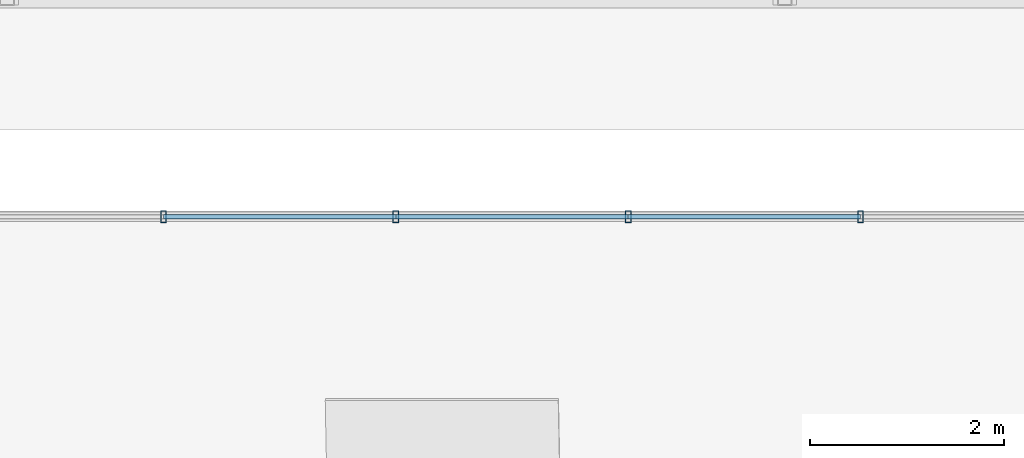
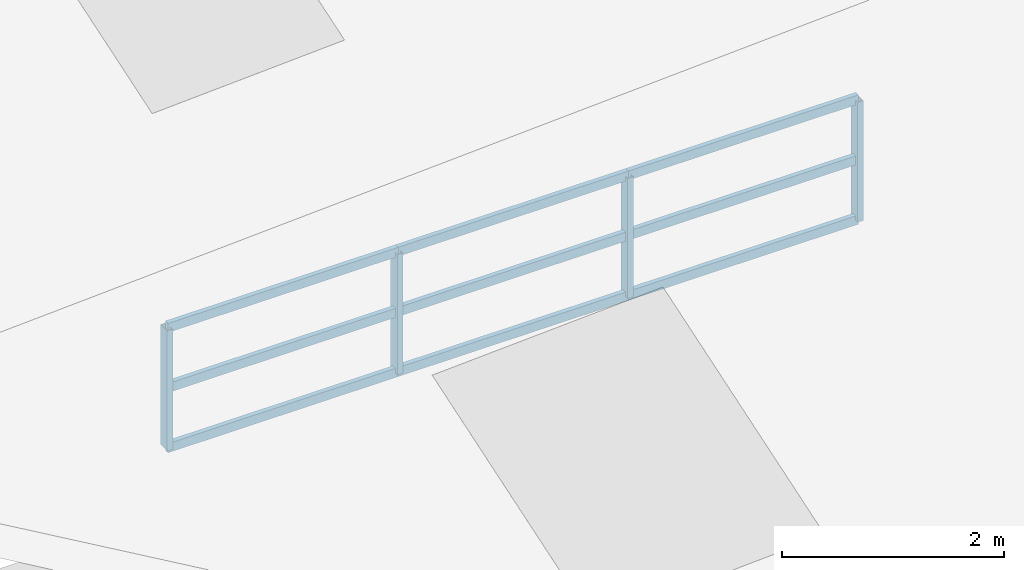
# One storey, part 16 of 141: 13 members, 1 element without a shape of its own.
"""IFC4 building model written with IfcOpenShell, lengths in metres."""

from ifc_helpers import new_model, si_unit, direction, frame, origin, origin_2d, place, context, subcontext, project, spatial, hollow_rectangle, extrude, material, material_profile, profile_set, type_object, element, aggregate, save


model = new_model("IFC4")

# Units and contexts
model_context = context("Model", 3, precision=1e-05, world=origin(), true_north=direction((0.0, 1.0)))
body_context = subcontext(model_context, "Body", "Model", "MODEL_VIEW")
ifc_project = project(units=[si_unit("LENGTHUNIT", "METRE"), si_unit("AREAUNIT", "SQUARE_METRE"), si_unit("VOLUMEUNIT", "CUBIC_METRE"), si_unit("PLANEANGLEUNIT", "RADIAN"), si_unit("MASSUNIT", "GRAM", prefix="KILO")], contexts=[model_context])

# Site, building, storey
site_placement = place(None, origin())
site = spatial("IfcSite", under=ifc_project, at=site_placement, CompositionType="ELEMENT")
building_placement = place(site_placement, origin())
building = spatial("IfcBuilding", under=site, at=building_placement, Name="Sundkrona Museum", CompositionType="ELEMENT")
storey_placement = place(building_placement, frame((0.0, 0.0, 34.0)))
storey = spatial("IfcBuildingStorey", under=building, at=storey_placement, Name="RF", CompositionType="ELEMENT", Elevation=34.0)

# Curtain wall, members
ifc_material_1 = material(Name="Unitised Aluminium-Steel and Ceramic-Clad Curtain Walling", Category="steel")
curtain_wall_type = type_object("IfcCurtainWallType", Name="CW-SW-240x13", PredefinedType="NOTDEFINED", material=ifc_material_1)
curtain_wall_placement = place(storey_placement, origin())
curtain_wall = element("IfcCurtainWall", 1, at=curtain_wall_placement, inside=storey, type_object=curtain_wall_type, Name="Sawtooth Bay 2 West North-Light Clerestory", PredefinedType="NOTDEFINED")
ifc_material_2 = material(Name="Aluminium EN AW-6060 T66", Category="aluminium")
ifc_material_profile_1 = material_profile(ifc_material_2, hollow_rectangle(XDim=0.06005859375, YDim=0.1201171875, WallThickness=0.0048828125, at=origin_2d()), Name="RHS 120x60x5.0")
ifc_profile_set_1 = profile_set([ifc_material_profile_1], Name="Aluminium EN AW-6060 T66")
member_type_1 = type_object("IfcMemberType", Name="ML-120", PredefinedType="MULLION", material=ifc_profile_set_1)
member_1_placement = place(storey_placement, frame((129.610107421875, 10.300048828125, 2.633056640625), z_axis=(0.0, 0.0, 1.0), x_axis=(1.0, 0.0, 0.0)))
member_1 = element("IfcMember", 2, at=member_1_placement, type_object=member_type_1, Name="CW-RF-SAW-02W Mullion 05", PredefinedType="MULLION", context=body_context, shape_type="SweptSolid", body=[
    extrude(hollow_rectangle(XDim=0.06005859375, YDim=0.1201171875, WallThickness=0.0048828125, at=origin_2d()), origin(), (0.0, 0.0, 1.0), 1.31982421875),
])
member_2_placement = place(storey_placement, frame((132.0, 10.300048828125, 2.633056640625), z_axis=(0.0, 0.0, 1.0), x_axis=(1.0, 0.0, 0.0)))
member_2 = element("IfcMember", 3, at=member_2_placement, type_object=member_type_1, Name="CW-RF-SAW-02W Mullion 06", PredefinedType="MULLION", context=body_context, shape_type="SweptSolid", body=[
    extrude(hollow_rectangle(XDim=0.06005859375, YDim=0.1201171875, WallThickness=0.0048828125, at=origin_2d()), origin(), (0.0, 0.0, 1.0), 1.31982421875),
])
member_3_placement = place(storey_placement, frame((134.389892578125, 10.300048828125, 2.633056640625), z_axis=(0.0, 0.0, 1.0), x_axis=(1.0, 0.0, 0.0)))
member_3 = element("IfcMember", 4, at=member_3_placement, type_object=member_type_1, Name="CW-RF-SAW-02W Mullion 07", PredefinedType="MULLION", context=body_context, shape_type="SweptSolid", body=[
    extrude(hollow_rectangle(XDim=0.06005859375, YDim=0.1201171875, WallThickness=0.0048828125, at=origin_2d()), origin(), (0.0, 0.0, 1.0), 1.31982421875),
])
member_4_placement = place(storey_placement, frame((136.780029296875, 10.300048828125, 2.633056640625), z_axis=(0.0, 0.0, 1.0), x_axis=(1.0, 0.0, 0.0)))
member_4 = element("IfcMember", 5, at=member_4_placement, type_object=member_type_1, Name="CW-RF-SAW-02W Mullion 08", PredefinedType="MULLION", context=body_context, shape_type="SweptSolid", body=[
    extrude(hollow_rectangle(XDim=0.06005859375, YDim=0.1201171875, WallThickness=0.0048828125, at=origin_2d()), origin(), (0.0, 0.0, 1.0), 1.31982421875),
])
ifc_material_profile_2 = material_profile(ifc_material_2, hollow_rectangle(XDim=0.050048828125, YDim=0.10009765625, WallThickness=0.0048828125, at=origin_2d()), Name="RHS 100x50x5.0")
ifc_profile_set_2 = profile_set([ifc_material_profile_2], Name="Aluminium EN AW-6060 T66")
member_type_2 = type_object("IfcMemberType", Name="TR-100", PredefinedType="USERDEFINED", material=ifc_profile_set_2)
member_5_placement = place(storey_placement, frame((129.610107421875, 10.300048828125, 2.633056640625), z_axis=(1.0, 0.0, 0.0), x_axis=(0.0, 1.0, 0.0)))
member_5 = element("IfcMember", 6, at=member_5_placement, type_object=member_type_2, Name="CW-RF-SAW-02W Transom 13", ObjectType="TRANSOM", PredefinedType="USERDEFINED", context=body_context, shape_type="SweptSolid", body=[
    extrude(hollow_rectangle(XDim=0.050048828125, YDim=0.10009765625, WallThickness=0.0048828125, at=origin_2d()), origin(), (0.0, 0.0, 1.0), 2.389892578125),
])
member_6_placement = place(storey_placement, frame((129.610107421875, 10.300048828125, 3.29296875), z_axis=(1.0, 0.0, 0.0), x_axis=(0.0, 1.0, 0.0)))
member_6 = element("IfcMember", 7, at=member_6_placement, type_object=member_type_2, Name="CW-RF-SAW-02W Transom 14", ObjectType="TRANSOM", PredefinedType="USERDEFINED", context=body_context, shape_type="SweptSolid", body=[
    extrude(hollow_rectangle(XDim=0.050048828125, YDim=0.10009765625, WallThickness=0.0048828125, at=origin_2d()), origin(), (0.0, 0.0, 1.0), 2.389892578125),
])
member_7_placement = place(storey_placement, frame((129.610107421875, 10.300048828125, 3.952880859375), z_axis=(1.0, 0.0, 0.0), x_axis=(0.0, 1.0, 0.0)))
member_7 = element("IfcMember", 8, at=member_7_placement, type_object=member_type_2, Name="CW-RF-SAW-02W Transom 15", ObjectType="TRANSOM", PredefinedType="USERDEFINED", context=body_context, shape_type="SweptSolid", body=[
    extrude(hollow_rectangle(XDim=0.050048828125, YDim=0.10009765625, WallThickness=0.0048828125, at=origin_2d()), origin(), (0.0, 0.0, 1.0), 2.389892578125),
])
member_8_placement = place(storey_placement, frame((132.0, 10.300048828125, 2.633056640625), z_axis=(1.0, 0.0, 0.0), x_axis=(0.0, 1.0, 0.0)))
member_8 = element("IfcMember", 9, at=member_8_placement, type_object=member_type_2, Name="CW-RF-SAW-02W Transom 16", ObjectType="TRANSOM", PredefinedType="USERDEFINED", context=body_context, shape_type="SweptSolid", body=[
    extrude(hollow_rectangle(XDim=0.050048828125, YDim=0.10009765625, WallThickness=0.0048828125, at=origin_2d()), origin(), (0.0, 0.0, 1.0), 2.389892578125),
])
member_9_placement = place(storey_placement, frame((132.0, 10.300048828125, 3.29296875), z_axis=(1.0, 0.0, 0.0), x_axis=(0.0, 1.0, 0.0)))
member_9 = element("IfcMember", 10, at=member_9_placement, type_object=member_type_2, Name="CW-RF-SAW-02W Transom 17", ObjectType="TRANSOM", PredefinedType="USERDEFINED", context=body_context, shape_type="SweptSolid", body=[
    extrude(hollow_rectangle(XDim=0.050048828125, YDim=0.10009765625, WallThickness=0.0048828125, at=origin_2d()), origin(), (0.0, 0.0, 1.0), 2.389892578125),
])
member_10_placement = place(storey_placement, frame((132.0, 10.300048828125, 3.952880859375), z_axis=(1.0, 0.0, 0.0), x_axis=(0.0, 1.0, 0.0)))
member_10 = element("IfcMember", 11, at=member_10_placement, type_object=member_type_2, Name="CW-RF-SAW-02W Transom 18", ObjectType="TRANSOM", PredefinedType="USERDEFINED", context=body_context, shape_type="SweptSolid", body=[
    extrude(hollow_rectangle(XDim=0.050048828125, YDim=0.10009765625, WallThickness=0.0048828125, at=origin_2d()), origin(), (0.0, 0.0, 1.0), 2.389892578125),
])
member_11_placement = place(storey_placement, frame((134.389892578125, 10.300048828125, 2.633056640625), z_axis=(1.0, 0.0, 0.0), x_axis=(0.0, 1.0, 0.0)))
member_11 = element("IfcMember", 12, at=member_11_placement, type_object=member_type_2, Name="CW-RF-SAW-02W Transom 19", ObjectType="TRANSOM", PredefinedType="USERDEFINED", context=body_context, shape_type="SweptSolid", body=[
    extrude(hollow_rectangle(XDim=0.050048828125, YDim=0.10009765625, WallThickness=0.0048828125, at=origin_2d()), origin(), (0.0, 0.0, 1.0), 2.39013671875),
])
member_12_placement = place(storey_placement, frame((134.389892578125, 10.300048828125, 3.29296875), z_axis=(1.0, 0.0, 0.0), x_axis=(0.0, 1.0, 0.0)))
member_12 = element("IfcMember", 13, at=member_12_placement, type_object=member_type_2, Name="CW-RF-SAW-02W Transom 20", ObjectType="TRANSOM", PredefinedType="USERDEFINED", context=body_context, shape_type="SweptSolid", body=[
    extrude(hollow_rectangle(XDim=0.050048828125, YDim=0.10009765625, WallThickness=0.0048828125, at=origin_2d()), origin(), (0.0, 0.0, 1.0), 2.39013671875),
])
member_13_placement = place(storey_placement, frame((134.389892578125, 10.300048828125, 3.952880859375), z_axis=(1.0, 0.0, 0.0), x_axis=(0.0, 1.0, 0.0)))
member_13 = element("IfcMember", 14, at=member_13_placement, type_object=member_type_2, Name="CW-RF-SAW-02W Transom 21", ObjectType="TRANSOM", PredefinedType="USERDEFINED", context=body_context, shape_type="SweptSolid", body=[
    extrude(hollow_rectangle(XDim=0.050048828125, YDim=0.10009765625, WallThickness=0.0048828125, at=origin_2d()), origin(), (0.0, 0.0, 1.0), 2.39013671875),
])
aggregate(curtain_wall, [member_1, member_2, member_3, member_4, member_5, member_6, member_7, member_8, member_9, member_10, member_11, member_12, member_13])

save(model, "model.ifc")
